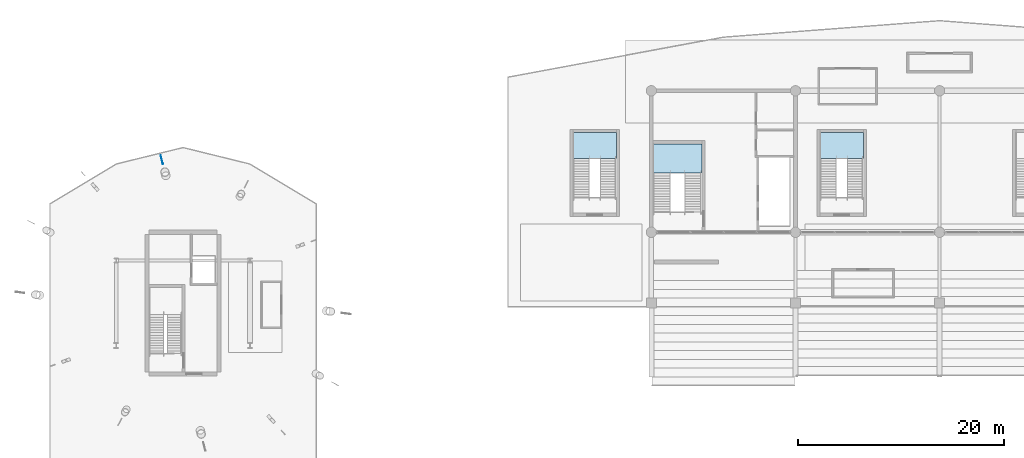
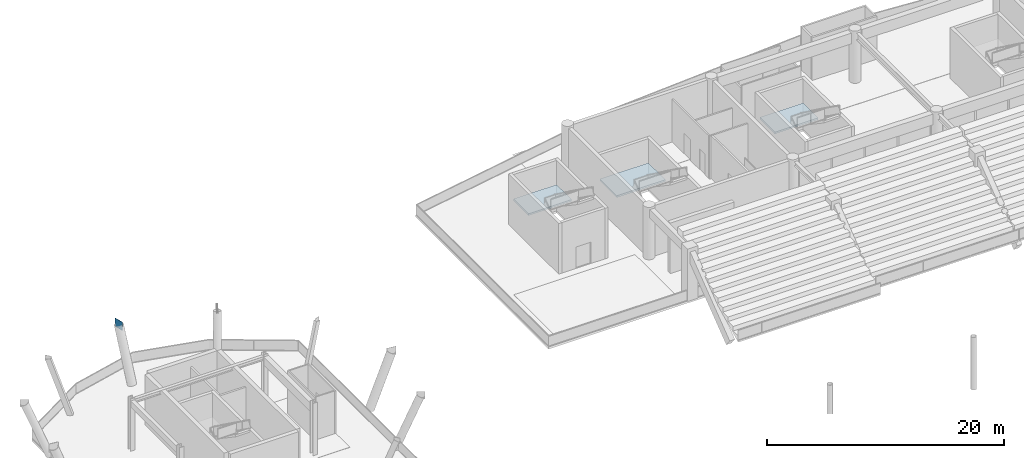
# One storey, part 78 of 117: 3 slabs, 1 plate, 3 elements without a shape of their own.
"""IFC4 building model written with IfcOpenShell, lengths in metres."""

from ifc_helpers import new_model, si_unit, direction, frame, origin, origin_2d, place, context, subcontext, project, spatial, polyline, rectangle, outline, extrude, material, layer, layer_set, type_object, element, aggregate, save


model = new_model("IFC4")

# Units and contexts
model_context = context("Model", 3, precision=1e-05, world=origin(), true_north=direction((0.0, 1.0)))
body_context = subcontext(model_context, "Body", "Model", "MODEL_VIEW")
ifc_project = project(units=[si_unit("LENGTHUNIT", "METRE"), si_unit("AREAUNIT", "SQUARE_METRE"), si_unit("VOLUMEUNIT", "CUBIC_METRE"), si_unit("PLANEANGLEUNIT", "RADIAN"), si_unit("MASSUNIT", "GRAM", prefix="KILO")], contexts=[model_context])

# Site, building, storey
site_placement = place(None, origin())
site = spatial("IfcSite", under=ifc_project, at=site_placement, CompositionType="ELEMENT")
building_placement = place(site_placement, origin())
building = spatial("IfcBuilding", under=site, at=building_placement, Name="Linyun Crest Stadium", CompositionType="ELEMENT")
storey_placement = place(building_placement, frame((0.0, 0.0, 6.0)))
storey = spatial("IfcBuildingStorey", under=building, at=storey_placement, Name="L02", CompositionType="ELEMENT", Elevation=6.0)

# Plate
ifc_material_1 = material(Name="Steel Q420C", Category="steel")
ifc_layer_1 = layer(ifc_material_1, 0.028076171875)
ifc_layer_set_1 = layer_set([ifc_layer_1], Name="Steel Q420C")
plate_type = type_object("IfcPlateType", Name="EP03", PredefinedType="USERDEFINED", material=ifc_layer_set_1)
plate_placement = place(storey_placement, frame((-75.568115234375, 98.544921875, 4.971435546875), z_axis=(0.0, 0.0, 1.0), x_axis=(-0.246322451985, 0.96918793309, 0.0)))
element("IfcPlate", 1, at=plate_placement, inside=storey, type_object=plate_type, Name="Hollow section cap end plate EP03 361", ObjectType="END PLATE", PredefinedType="USERDEFINED", context=body_context, shape_type="SweptSolid", body=[
    extrude(rectangle(XDim=0.85302734375, YDim=0.028076171875, at=origin_2d()), origin(), (0.0, 0.0, 1.0), 0.85302734375),
])

# Stair, slab
ifc_material_2 = material(Name="Concrete C40", Category="concrete")
stair_type = type_object("IfcStairType", Name="STA02", PredefinedType="HALF_TURN_STAIR", material=ifc_material_2)
stair_1_placement = place(storey_placement, origin())
stair_1 = element("IfcStair", 2, at=stair_1_placement, inside=storey, type_object=stair_type, Name="Evacuation stair STR-07-L02", PredefinedType="HALF_TURN_STAIR")
ifc_material_3 = material(Name="Concrete C40", Category="concrete")
ifc_layer_2 = layer(ifc_material_3, 0.179931640625)
ifc_layer_set_2 = layer_set([ifc_layer_2], Name="Concrete C40")
slab_type = type_object("IfcSlabType", Name="LS01", PredefinedType="LANDING", material=ifc_layer_set_2)
slab_1_placement = place(storey_placement, frame((0.0, 0.0, 2.52001953125)))
slab_1 = element("IfcSlab", 3, at=slab_1_placement, type_object=slab_type, Name="STR-07-L02 half-landing", PredefinedType="LANDING", context=body_context, shape_type="SweptSolid", body=[
    extrude(outline(polyline([(-27.824951171875, 97.239990234375), (-23.10009765625, 97.239990234375), (-23.10009765625, 100.10009765625), (-27.824951171875, 100.10009765625), (-27.824951171875, 97.239990234375)])), origin(), (0.0, 0.0, 1.0), 0.179931640625),
])
aggregate(stair_1, [slab_1])

stair_2_placement = place(storey_placement, origin())
stair_2 = element("IfcStair", 4, at=stair_2_placement, inside=storey, type_object=stair_type, Name="Vomitory evacuation stair STR-23-L02", PredefinedType="HALF_TURN_STAIR")
slab_2_placement = place(storey_placement, frame((0.0, 0.0, 2.52001953125)))
slab_2 = element("IfcSlab", 5, at=slab_2_placement, type_object=slab_type, Name="STR-23-L02 half-landing", PredefinedType="LANDING", context=body_context, shape_type="SweptSolid", body=[
    extrude(outline(polyline([(-35.60009765625, 98.669921875), (-31.39990234375, 98.669921875), (-31.39990234375, 101.199951171875), (-35.60009765625, 101.199951171875), (-35.60009765625, 98.669921875)])), origin(), (0.0, 0.0, 1.0), 0.179931640625),
])
aggregate(stair_2, [slab_2])

stair_3_placement = place(storey_placement, origin())
stair_3 = element("IfcStair", 6, at=stair_3_placement, inside=storey, type_object=stair_type, Name="Vomitory evacuation stair STR-24-L02", PredefinedType="HALF_TURN_STAIR")
slab_3_placement = place(storey_placement, frame((0.0, 0.0, 2.52001953125)))
slab_3 = element("IfcSlab", 7, at=slab_3_placement, type_object=slab_type, Name="STR-24-L02 half-landing", PredefinedType="LANDING", context=body_context, shape_type="SweptSolid", body=[
    extrude(outline(polyline([(-11.60009765625, 98.669921875), (-7.39990234375, 98.669921875), (-7.39990234375, 101.199951171875), (-11.60009765625, 101.199951171875), (-11.60009765625, 98.669921875)])), origin(), (0.0, 0.0, 1.0), 0.179931640625),
])
aggregate(stair_3, [slab_3])

save(model, "model.ifc")
